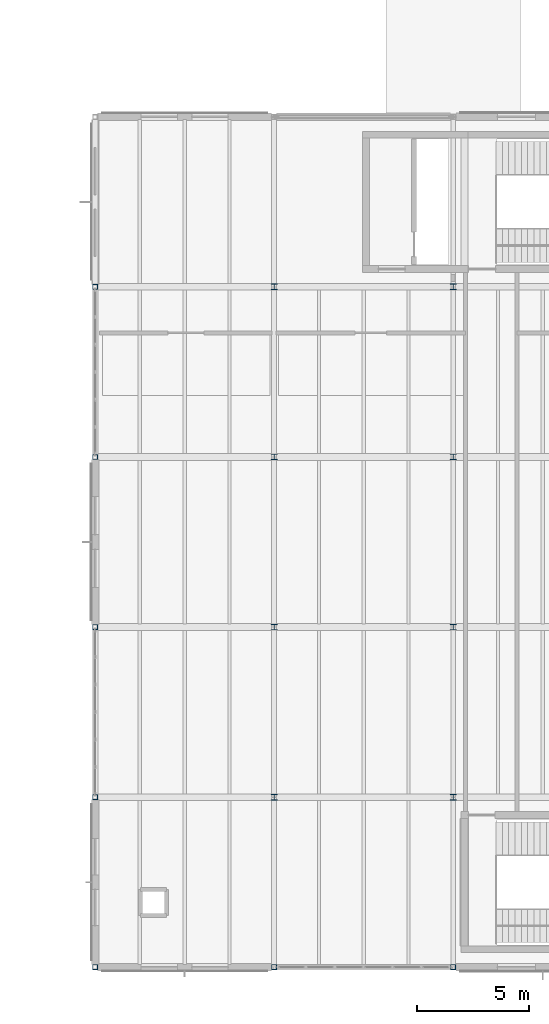
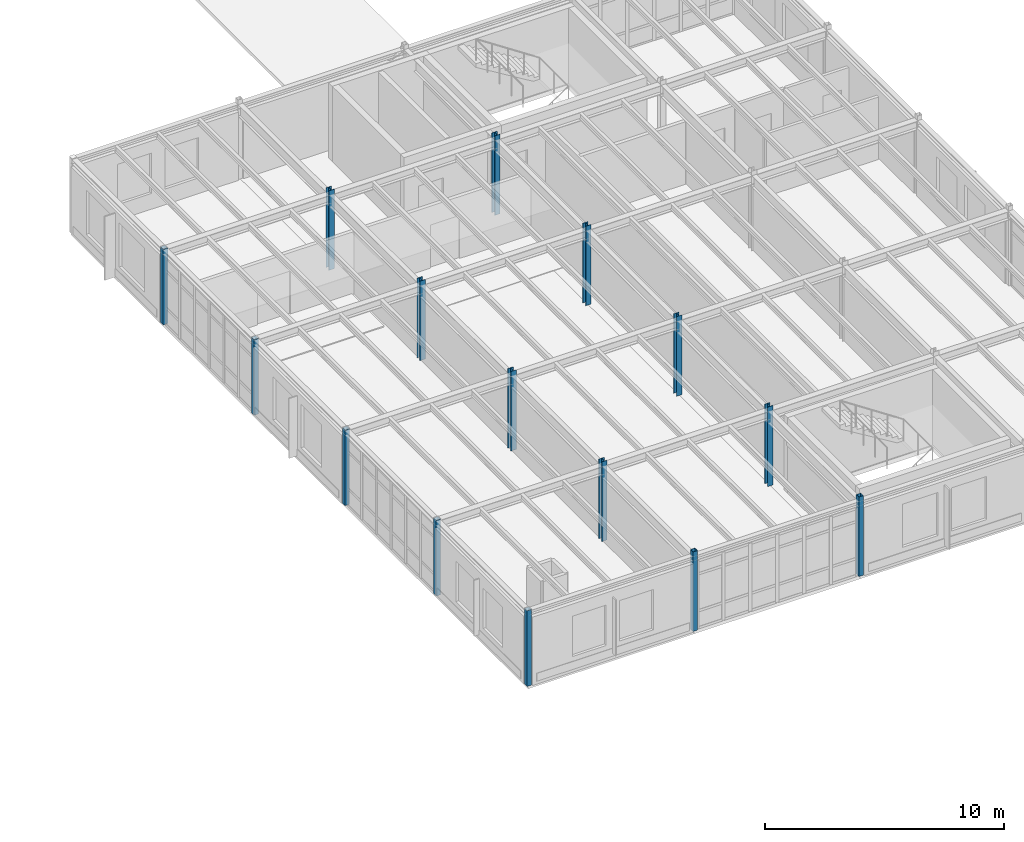
# One storey, part 13 of 114: 15 columns.
"""IFC4 building model written with IfcOpenShell, lengths in metres."""

from ifc_helpers import new_model, si_unit, direction, frame, origin, origin_2d, place, context, subcontext, project, spatial, hollow_rectangle, i_section, extrude, material, material_profile, profile_set, type_object, element, save


model = new_model("IFC4")

# Units and contexts
model_context = context("Model", 3, precision=1e-05, world=origin(), true_north=direction((0.0, 1.0)))
body_context = subcontext(model_context, "Body", "Model", "MODEL_VIEW")
ifc_project = project(units=[si_unit("LENGTHUNIT", "METRE"), si_unit("AREAUNIT", "SQUARE_METRE"), si_unit("VOLUMEUNIT", "CUBIC_METRE"), si_unit("PLANEANGLEUNIT", "RADIAN"), si_unit("MASSUNIT", "GRAM", prefix="KILO")], contexts=[model_context])

# Site, building, storey
site_placement = place(None, origin())
site = spatial("IfcSite", under=ifc_project, at=site_placement, CompositionType="ELEMENT")
building_placement = place(site_placement, origin())
building = spatial("IfcBuilding", under=site, at=building_placement, Name="Montecoro Central Library", CompositionType="ELEMENT")
storey_placement = place(building_placement, frame((0.0, 0.0, 13.260009765625)))
storey = spatial("IfcBuildingStorey", under=building, at=storey_placement, Name="L03", CompositionType="ELEMENT", Elevation=13.260009765625)

# Columns
ifc_material = material(Name="Steel S355", Category="steel")
ifc_material_profile_1 = material_profile(ifc_material, i_section(OverallWidth=0.260009765625, OverallDepth=0.260009765625, WebThickness=0.010009765625, FlangeThickness=0.017578125, at=origin_2d()), Name="HEB 260")
ifc_profile_set_1 = profile_set([ifc_material_profile_1], Name="Steel S355")
column_type_1 = type_object("IfcColumnType", Name="COL-HEB260", PredefinedType="COLUMN", material=ifc_profile_set_1)
for number, where, z_axis, x_axis, name in (
    (1, (149.0, 12.60009765625, 0.0), (0.0, 0.0, 1.0), (1.0, 0.0, 0.0), "V6-L03-COL-19-B"),
    (2, (149.0, 20.199951171875, 0.0), (0.0, 0.0, 1.0), (1.0, 0.0, 0.0), "V6-L03-COL-19-C"),
    (3, (149.0, 27.800048828125, 0.0), (0.0, 0.0, 1.0), (1.0, 0.0, 0.0), "V6-L03-COL-19-D"),
    (4, (149.0, 35.39990234375, 0.0), (0.0, 0.0, 1.0), (1.0, 0.0, 0.0), "V6-L03-COL-19-E"),
    (5, (157.0, 12.60009765625, 0.0), (0.0, 0.0, 1.0), (1.0, 0.0, 0.0), "V6-L03-COL-20-B"),
    (6, (157.0, 20.199951171875, 0.0), (0.0, 0.0, 1.0), (1.0, 0.0, 0.0), "V6-L03-COL-20-C"),
    (7, (157.0, 27.800048828125, 0.0), (0.0, 0.0, 1.0), (1.0, 0.0, 0.0), "V6-L03-COL-20-D"),
    (8, (157.0, 35.39990234375, 0.0), (0.0, 0.0, 1.0), (1.0, 0.0, 0.0), "V6-L03-COL-20-E"),
):
    element("IfcColumn", number, at=place(storey_placement, frame(where, z_axis=z_axis, x_axis=x_axis)), inside=storey, type_object=column_type_1, Name=name, PredefinedType="COLUMN", context=body_context, shape_type="SweptSolid", body=[
        extrude(i_section(OverallWidth=0.260009765625, OverallDepth=0.260009765625, WebThickness=0.010009765625, FlangeThickness=0.017578125, at=origin_2d()), origin(), (0.0, 0.0, 1.0), 4.054931640625),
    ])
ifc_material_profile_2 = material_profile(ifc_material, hollow_rectangle(XDim=0.219970703125, YDim=0.219970703125, WallThickness=0.010009765625, at=origin_2d()), Name="SHS 220x220x10.0")
ifc_profile_set_2 = profile_set([ifc_material_profile_2], Name="Steel S355")
column_type_2 = type_object("IfcColumnType", Name="COL-SHS220", PredefinedType="COLUMN", material=ifc_profile_set_2)
for number, where, z_axis, x_axis, name in (
    (9, (141.0, 5.0, 0.0), (0.0, 0.0, 1.0), (1.0, 0.0, 0.0), "V6-L03-COL-18-A"),
    (10, (141.0, 12.60009765625, 0.0), (0.0, 0.0, 1.0), (1.0, 0.0, 0.0), "V6-L03-COL-18-B"),
    (11, (141.0, 20.199951171875, 0.0), (0.0, 0.0, 1.0), (1.0, 0.0, 0.0), "V6-L03-COL-18-C"),
    (12, (141.0, 27.800048828125, 0.0), (0.0, 0.0, 1.0), (1.0, 0.0, 0.0), "V6-L03-COL-18-D"),
    (13, (141.0, 35.39990234375, 0.0), (0.0, 0.0, 1.0), (1.0, 0.0, 0.0), "V6-L03-COL-18-E"),
):
    element("IfcColumn", number, at=place(storey_placement, frame(where, z_axis=z_axis, x_axis=x_axis)), inside=storey, type_object=column_type_2, Name=name, PredefinedType="COLUMN", context=body_context, shape_type="SweptSolid", body=[
        extrude(hollow_rectangle(XDim=0.219970703125, YDim=0.219970703125, WallThickness=0.010009765625, at=origin_2d()), origin(), (0.0, 0.0, 1.0), 3.85498046875),
    ])
for number, where, z_axis, x_axis, name in (
    (14, (149.0, 5.0, 0.0), (0.0, 0.0, 1.0), (1.0, 0.0, 0.0), "V6-L03-COL-19-A"),
    (15, (157.0, 5.0, 0.0), (0.0, 0.0, 1.0), (1.0, 0.0, 0.0), "V6-L03-COL-20-A"),
):
    element("IfcColumn", number, at=place(storey_placement, frame(where, z_axis=z_axis, x_axis=x_axis)), inside=storey, type_object=column_type_2, Name=name, PredefinedType="COLUMN", context=body_context, shape_type="SweptSolid", body=[
        extrude(hollow_rectangle(XDim=0.219970703125, YDim=0.219970703125, WallThickness=0.010009765625, at=origin_2d()), origin(), (0.0, 0.0, 1.0), 4.054931640625),
    ])

save(model, "model.ifc")
